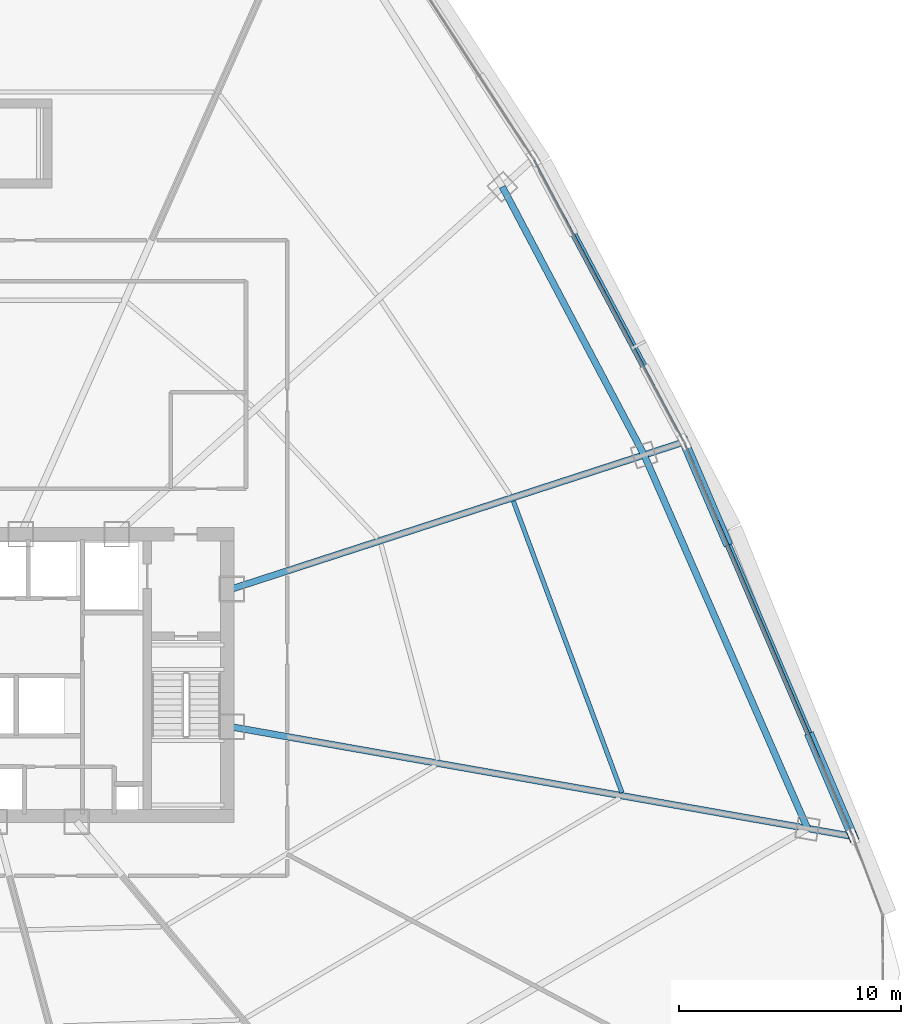
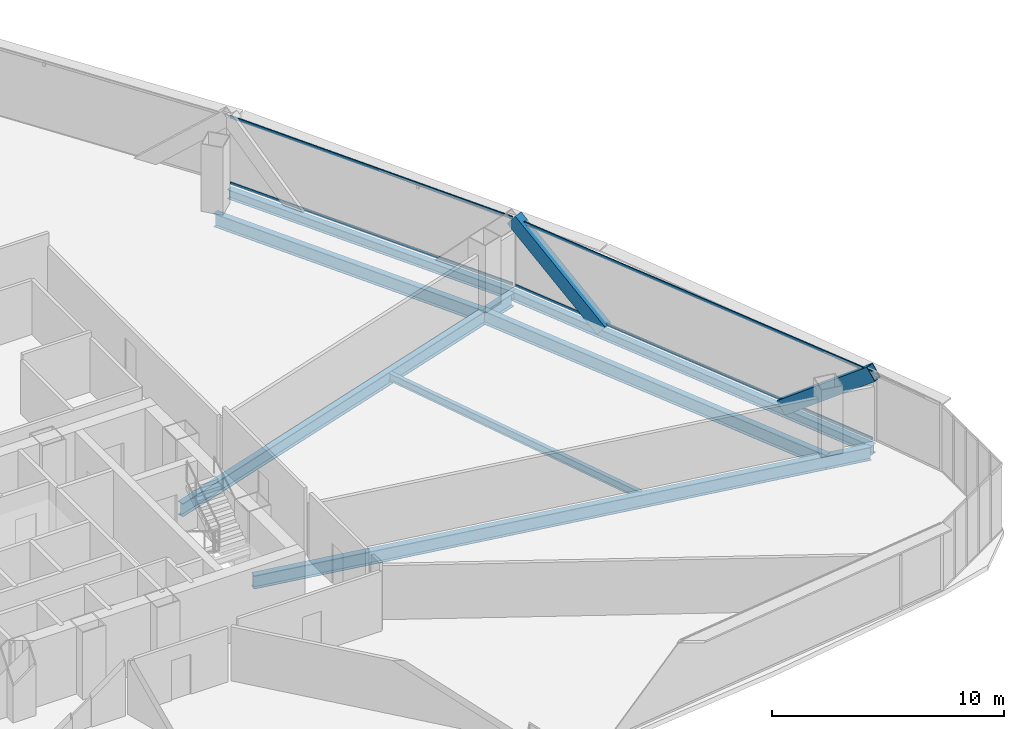
# One storey, part 23 of 39: 7 beams, 6 members, 2 elements without a shape of their own.
"""IFC4 building model written with IfcOpenShell, lengths in metres."""

import ifcopenshell
import ifcopenshell.guid

model = None  # the IFC model being written
_history = None  # IfcOwnerHistory: only IFC2X3 demands one
_inside = {}  # id of a spatial element -> (the spatial element, [elements in it])
_under = {}  # id of a project, library or spatial element -> (it, [spatial elements below it])
_declared = {}  # id of a project -> (the project, [libraries it declares])
_typed = {}  # id of a type object -> (the type object, [elements of that type])
_made_of = {}  # id of a material, layer set ... -> (it, [elements and type objects made of it])


def new_model(schema):
    """Start an empty IFC model of exactly this schema.

    Asked for "IFC4X3", IfcOpenShell would pick the latest addendum, in which some entities
    have other attributes; the version numbers below select the first issue.
    IFC2X3 requires an IfcOwnerHistory on every rooted entity: one is made here for all.
    """
    global model, _history
    if schema == "IFC4X3":
        model = ifcopenshell.file(schema_version=(4, 3, 0, 0))
    else:
        model = ifcopenshell.file(schema=schema)
    _inside.clear()
    _under.clear()
    _declared.clear()
    _typed.clear()
    _made_of.clear()
    _history = None
    if model.schema == "IFC2X3":
        org = make("IfcOrganization", Name="unknown")
        user = make(
            "IfcPersonAndOrganization",
            ThePerson=make("IfcPerson", FamilyName="unknown"),
            TheOrganization=org,
        )
        app = make(
            "IfcApplication",
            ApplicationDeveloper=org,
            Version="unknown",
            ApplicationFullName="unknown",
            ApplicationIdentifier="unknown",
        )
        _history = make(
            "IfcOwnerHistory",
            OwningUser=user,
            OwningApplication=app,
            ChangeAction="ADDED",
            CreationDate=0,
        )
    return model


def make(cls, **values):
    """One entity of the class cls with the attributes given. An attribute that is None is left unset."""
    return model.create_entity(
        cls, **{name: value for name, value in values.items() if value is not None}
    )


def rooted(cls, **values):
    """An entity with a GlobalId (a new one), such as an element, a storey or a relation."""
    return make(cls, GlobalId=ifcopenshell.guid.new(), OwnerHistory=_history, **values)


def si_unit(unit_type, name, prefix=None):
    """IfcSIUnit, for example si_unit("LENGTHUNIT", "METRE", prefix="MILLI")."""
    return make("IfcSIUnit", UnitType=unit_type, Prefix=prefix, Name=name)


def assignment(units):
    """IfcUnitAssignment: the units of a project."""
    return None if units is None else make("IfcUnitAssignment", Units=units)


def point(xyz):
    """IfcCartesianPoint."""
    return None if xyz is None else make("IfcCartesianPoint", Coordinates=xyz)


def direction(xyz):
    """IfcDirection."""
    return None if xyz is None else make("IfcDirection", DirectionRatios=xyz)


def frame(location, z_axis=None, x_axis=None):
    """IfcAxis2Placement3D, a coordinate frame: its origin and axes. An axis left out is left unset."""
    return make(
        "IfcAxis2Placement3D",
        Location=point(location),
        Axis=direction(z_axis),
        RefDirection=direction(x_axis),
    )


def frame_2d(location, x_axis=None):
    """IfcAxis2Placement2D, a coordinate frame in the plane: its origin and x axis."""
    return make(
        "IfcAxis2Placement2D", Location=point(location), RefDirection=direction(x_axis)
    )


def origin():
    """The frame at (0, 0, 0) with its axes left unset."""
    return frame((0.0, 0.0, 0.0))


def origin_2d():
    """The frame at (0, 0) in the plane with its x axis left unset."""
    return frame_2d((0.0, 0.0))


def place(relative_to, where):
    """IfcLocalPlacement: puts the frame where relative to a parent placement (None: the world)."""
    return make(
        "IfcLocalPlacement", PlacementRelTo=relative_to, RelativePlacement=where
    )


def context(
    kind, dimensions, precision=None, world=None, true_north=None, identifier=None
):
    """IfcGeometricRepresentationContext, for example the 3D "Model" context."""
    return make(
        "IfcGeometricRepresentationContext",
        ContextIdentifier=identifier,
        ContextType=kind,
        CoordinateSpaceDimension=dimensions,
        Precision=precision,
        WorldCoordinateSystem=world,
        TrueNorth=true_north,
    )


def subcontext(parent, identifier, kind, view, scale=None):
    """IfcGeometricRepresentationSubContext, for example "Body" below "Model"."""
    return make(
        "IfcGeometricRepresentationSubContext",
        ContextIdentifier=identifier,
        ContextType=kind,
        ParentContext=parent,
        TargetScale=scale,
        TargetView=view,
    )


def project(units=None, contexts=None):
    """IfcProject with its units and contexts."""
    return rooted(
        "IfcProject",
        Name="project",
        RepresentationContexts=contexts,
        UnitsInContext=assignment(units),
    )


def spatial(cls, under=None, at=None, **own):
    """A site, building, storey or space (cls), placed at a placement, below another one or the project."""
    s = rooted(cls, ObjectPlacement=at, **own)
    if under is not None:
        _under.setdefault(under.id(), (under, []))[1].append(s)
    return s


def profile(cls, at=None, kind="AREA", **sizes):
    """A parametric profile (cls). Its sizes go by their IFC names, for example OverallWidth=200.0."""
    return make(cls, ProfileType=kind, Position=at, **sizes)


def hollow_rectangle(**sizes):
    """IfcRectangleHollowProfileDef."""
    return profile("IfcRectangleHollowProfileDef", **sizes)


def i_section(**sizes):
    """IfcIShapeProfileDef."""
    return profile("IfcIShapeProfileDef", **sizes)


def extrude(swept, where, along, depth):
    """IfcExtrudedAreaSolid: the profile swept, set in the frame where, extruded along a direction by depth."""
    return make(
        "IfcExtrudedAreaSolid",
        SweptArea=swept,
        Position=where,
        ExtrudedDirection=direction(along),
        Depth=depth,
    )


def shape(context_of_items, identifier, shape_type, items):
    """IfcShapeRepresentation: the items that make up one representation, for example the "Body"."""
    return make(
        "IfcShapeRepresentation",
        ContextOfItems=context_of_items,
        RepresentationIdentifier=identifier,
        RepresentationType=shape_type,
        Items=items,
    )


def source(mapping_origin, context_of_items, identifier, shape_type, items):
    """IfcRepresentationMap: a shape defined once, which mapped items show again and again."""
    return make(
        "IfcRepresentationMap",
        MappingOrigin=mapping_origin,
        MappedRepresentation=shape(context_of_items, identifier, shape_type, items),
    )


def transform(
    local_origin,
    x_axis=None,
    y_axis=None,
    z_axis=None,
    scale=None,
    scale2=None,
    scale3=None,
    uniform=True,
):
    """IfcCartesianTransformationOperator3D, or its non-uniform kind. x_axis, y_axis, z_axis: its Axis1, 2, 3."""
    if uniform:
        return make(
            "IfcCartesianTransformationOperator3D",
            Axis1=direction(x_axis),
            Axis2=direction(y_axis),
            LocalOrigin=point(local_origin),
            Scale=scale,
            Axis3=direction(z_axis),
        )
    return make(
        "IfcCartesianTransformationOperator3DnonUniform",
        Axis1=direction(x_axis),
        Axis2=direction(y_axis),
        LocalOrigin=point(local_origin),
        Scale=scale,
        Axis3=direction(z_axis),
        Scale2=scale2,
        Scale3=scale3,
    )


def mapped(mapping_source, mapping_target):
    """IfcMappedItem: shows the shape of a source again, moved by a transform."""
    return make(
        "IfcMappedItem", MappingSource=mapping_source, MappingTarget=mapping_target
    )


def material(Name=None, Category=None):
    """IfcMaterial."""
    return make("IfcMaterial", Name=Name, Category=Category)


def layer(
    of_material, thickness, ventilated=None, Name=None, Category=None, Priority=None
):
    """IfcMaterialLayer: one layer of a wall or slab, of a material (None: an air gap)."""
    return make(
        "IfcMaterialLayer",
        Material=of_material,
        LayerThickness=thickness,
        IsVentilated=ventilated,
        Name=Name,
        Category=Category,
        Priority=Priority,
    )


def layer_set(layers, Name=None):
    """IfcMaterialLayerSet."""
    return make("IfcMaterialLayerSet", MaterialLayers=layers, LayerSetName=Name)


def material_profile(
    of_material, cross_section, Name=None, Category=None, Priority=None
):
    """IfcMaterialProfile: a cross section and its material."""
    return make(
        "IfcMaterialProfile",
        Name=Name,
        Material=of_material,
        Profile=cross_section,
        Priority=Priority,
        Category=Category,
    )


def profile_set(profiles, Name=None, composite=None):
    """IfcMaterialProfileSet."""
    return make(
        "IfcMaterialProfileSet",
        Name=Name,
        MaterialProfiles=profiles,
        CompositeProfile=composite,
    )


def made_of(thing, what):
    """Note that an element or type object is made of a material, layer set ...; save() writes the relation."""
    if what is not None:
        _made_of.setdefault(what.id(), (what, []))[1].append(thing)
    return thing


def type_object(cls, material=None, **own):
    """A type object (cls), such as IfcWallType, which elements share."""
    return made_of(rooted(cls, **own), material)


def element(
    cls,
    number,
    at=None,
    inside=None,
    cuts=None,
    type_object=None,
    material=None,
    context=None,
    identifier="Body",
    shape_type=None,
    held_by="IfcProductDefinitionShape",
    body=None,
    shapes=None,
    **own,
):
    """One element of the class cls, such as IfcWall. Its Tag is "e" and its number.

    at: its placement. inside: the storey or other place that contains it. cuts: it is an
    opening in that element (IfcRelVoidsElement). A single representation is given by context,
    identifier, shape_type and body (its items); several are given by shapes. held_by: the class
    of the entity that holds the representations. save() writes the other relations.
    """
    e = rooted(cls, Tag="e%d" % number, ObjectPlacement=at, **own)
    if body is not None:
        shapes = [shape(context, identifier, shape_type, body)]
    if shapes is not None:
        e.Representation = make(held_by, Representations=shapes)
    if inside is not None:
        _inside.setdefault(inside.id(), (inside, []))[1].append(e)
    if cuts is not None:
        rooted(
            "IfcRelVoidsElement", RelatingBuildingElement=cuts, RelatedOpeningElement=e
        )
    if type_object is not None:
        _typed.setdefault(type_object.id(), (type_object, []))[1].append(e)
    return made_of(e, material)


def aggregate(whole, parts):
    """IfcRelAggregates: a whole, such as a stair, and the parts it consists of."""
    return rooted("IfcRelAggregates", RelatingObject=whole, RelatedObjects=parts)


def save(model, path):
    """Write the relations noted so far, then the file.

    IfcRelAggregates (storeys below a building ...), IfcRelContainedInSpatialStructure (elements
    in a storey), IfcRelDefinesByType, IfcRelAssociatesMaterial and IfcRelDeclares: one each for
    every whole, place, type object, material and project.
    """
    for whole, parts in _under.values():
        aggregate(whole, parts)
    for where, things in _inside.values():
        rooted(
            "IfcRelContainedInSpatialStructure",
            RelatedElements=things,
            RelatingStructure=where,
        )
    for kind, things in _typed.values():
        rooted("IfcRelDefinesByType", RelatedObjects=things, RelatingType=kind)
    for what, things in _made_of.values():
        rooted("IfcRelAssociatesMaterial", RelatedObjects=things, RelatingMaterial=what)
    for by, libraries in _declared.values():
        rooted("IfcRelDeclares", RelatingContext=by, RelatedDefinitions=libraries)
    model.write(path)


model = new_model("IFC4")

# Units and contexts
model_context = context("Model", 3, precision=1e-05, world=origin(), true_north=direction((0.0, 1.0)))
body_context = subcontext(model_context, "Body", "Model", "MODEL_VIEW")
ifc_project = project(units=[si_unit("LENGTHUNIT", "METRE"), si_unit("AREAUNIT", "SQUARE_METRE"), si_unit("VOLUMEUNIT", "CUBIC_METRE"), si_unit("PLANEANGLEUNIT", "RADIAN"), si_unit("MASSUNIT", "GRAM", prefix="KILO"), si_unit("THERMODYNAMICTEMPERATUREUNIT", "KELVIN"), si_unit("POWERUNIT", "WATT")], contexts=[model_context])

# Site, building, storey
site_placement = place(None, origin())
site = spatial("IfcSite", under=ifc_project, at=site_placement, CompositionType="ELEMENT")
building_placement = place(site_placement, origin())
building = spatial("IfcBuilding", under=site, at=building_placement, Name="Yunzhuo Pagoda Commons", CompositionType="ELEMENT")
storey_placement = place(building_placement, frame((0.0, 0.0, 92.580078125)))
storey = spatial("IfcBuildingStorey", under=building, at=storey_placement, Name="L23", CompositionType="ELEMENT", Elevation=92.580078125)

# Beams
ifc_material_1 = material(Name="Structural steel Q355B", Category="steel")
ifc_material_profile_1 = material_profile(ifc_material_1, i_section(OverallWidth=0.300048828125, OverallDepth=0.699951171875, WebThickness=0.012939453125, FlangeThickness=0.02392578125, at=origin_2d()), Name="Structural steel Q355B")
ifc_profile_set_1 = profile_set([ifc_material_profile_1], Name="Structural steel Q355B")
beam_type_1 = type_object("IfcBeamType", Name="B-RG1 Beam HN 700x300x13x24", PredefinedType="BEAM", material=ifc_profile_set_1)
shared_shape_1 = source(origin(), body_context, "Body", "SweptSolid", [
    extrude(i_section(OverallWidth=0.300048828125, OverallDepth=0.699951171875, WebThickness=0.012939453125, FlangeThickness=0.02392578125, at=origin_2d()), origin(), (0.0, 0.0, 1.0), 18.37158203125),
])
beam_1_placement = place(storey_placement, frame((86.352783203125, 26.9375, -0.610107421875), z_axis=(-0.400729599795, 0.916196369698, 0.0), x_axis=(-0.916196369698, -0.400729599795, 0.0)))
element("IfcBeam", 1, at=beam_1_placement, inside=storey, type_object=beam_type_1, Name="L23 column-ring beam 5", PredefinedType="BEAM", context=body_context, shape_type="MappedRepresentation", body=[
    mapped(shared_shape_1, transform((0.0, 0.0, 0.0), scale=1.0)),
])
shared_shape_2 = source(origin(), body_context, "Body", "SweptSolid", [
    extrude(i_section(OverallWidth=0.300048828125, OverallDepth=0.699951171875, WebThickness=0.012939453125, FlangeThickness=0.02392578125, at=origin_2d()), origin(), (0.0, 0.0, 1.0), 13.66748046875),
])
beam_2_placement = place(storey_placement, frame((78.99072265625, 43.76953125, -0.610107421875), z_axis=(-0.467383716456, 0.88405455804, 0.0), x_axis=(-0.88405455804, -0.467383716456, 0.0)))
element("IfcBeam", 2, at=beam_2_placement, inside=storey, type_object=beam_type_1, Name="L23 column-ring beam 6", PredefinedType="BEAM", context=body_context, shape_type="MappedRepresentation", body=[
    mapped(shared_shape_2, transform((0.0, 0.0, 0.0), scale=1.0)),
])
ifc_material_profile_2 = material_profile(ifc_material_1, i_section(OverallWidth=0.199951171875, OverallDepth=0.39990234375, WebThickness=0.008056640625, FlangeThickness=0.012939453125, at=origin_2d()), Name="Structural steel Q355B")
ifc_profile_set_2 = profile_set([ifc_material_profile_2], Name="Structural steel Q355B")
beam_type_2 = type_object("IfcBeamType", Name="B-JS1 Joist HN 400x200x8x13", PredefinedType="JOIST", material=ifc_profile_set_2)
shared_shape_3 = source(origin(), body_context, "Body", "SweptSolid", [
    extrude(i_section(OverallWidth=0.199951171875, OverallDepth=0.39990234375, WebThickness=0.008056640625, FlangeThickness=0.012939453125, at=origin_2d()), origin(), (0.0, 0.0, 1.0), 14.01904296875),
])
beam_3_placement = place(storey_placement, frame((77.992431640625, 28.55078125, -0.4599609375), z_axis=(-0.349168392993, 0.937059994523, 0.0), x_axis=(-0.937059994523, -0.349168392993, 0.0)))
element("IfcBeam", 3, at=beam_3_placement, inside=storey, type_object=beam_type_2, Name="L23 composite ring joist 2.5", PredefinedType="JOIST", context=body_context, shape_type="MappedRepresentation", body=[
    mapped(shared_shape_3, transform((0.0, 0.0, 0.0), scale=1.0)),
])
shared_shape_4 = source(origin(), body_context, "Body", "SweptSolid", [
    extrude(i_section(OverallWidth=0.300048828125, OverallDepth=0.699951171875, WebThickness=0.012939453125, FlangeThickness=0.02392578125, at=origin_2d()), origin(), (0.0, 0.0, 1.0), 28.281005859375),
])
beam_4_placement = place(storey_placement, frame((88.251220703125, 26.6025390625, -0.610107421875), z_axis=(-0.984808056581, 0.173646456036, 0.0), x_axis=(-0.173646456036, -0.984808056581, 0.0)))
element("IfcBeam", 4, at=beam_4_placement, inside=storey, type_object=beam_type_1, Name="L23 radial floor girder F2C1", PredefinedType="BEAM", context=body_context, shape_type="MappedRepresentation", body=[
    mapped(shared_shape_4, transform((0.0, 0.0, 0.0), scale=1.0)),
])
shared_shape_5 = source(origin(), body_context, "Body", "SweptSolid", [
    extrude(i_section(OverallWidth=0.300048828125, OverallDepth=0.699951171875, WebThickness=0.012939453125, FlangeThickness=0.02392578125, at=origin_2d()), origin(), (0.0, 0.0, 1.0), 21.291015625),
])
beam_5_placement = place(storey_placement, frame((80.64892578125, 44.308349609375, -0.610107421875), z_axis=(-0.951055975763, -0.309018657956, 0.0), x_axis=(0.309018657956, -0.951055975763, 0.0)))
element("IfcBeam", 5, at=beam_5_placement, inside=storey, type_object=beam_type_1, Name="L23 radial floor girder F2C2", PredefinedType="BEAM", context=body_context, shape_type="MappedRepresentation", body=[
    mapped(shared_shape_5, transform((0.0, 0.0, 0.0), scale=1.0)),
])
ifc_material_profile_3 = material_profile(ifc_material_1, i_section(OverallWidth=0.300048828125, OverallDepth=0.488037109375, WebThickness=0.010986328125, FlangeThickness=0.01806640625, at=origin_2d()), Name="Structural steel Q355B")
ifc_profile_set_3 = profile_set([ifc_material_profile_3], Name="Structural steel Q355B")
beam_type_3 = type_object("IfcBeamType", Name="B-SP1 Beam HM 488x300x11x18", PredefinedType="BEAM", material=ifc_profile_set_3)
shared_shape_6 = source(origin(), body_context, "Body", "SweptSolid", [
    extrude(i_section(OverallWidth=0.300048828125, OverallDepth=0.488037109375, WebThickness=0.010986328125, FlangeThickness=0.01806640625, at=origin_2d()), origin(), (0.0, 0.0, 1.0), 19.339599609375),
])
beam_6_placement = place(storey_placement, frame((88.40380859375, 26.57568359375, -0.504150390625), z_axis=(-0.393360074903, 0.919384495993, 0.0), x_axis=(-0.919384495993, -0.393360074903, 0.0)))
element("IfcBeam", 6, at=beam_6_placement, inside=storey, type_object=beam_type_3, Name="L23 facade edge spandrel beam F2.1", PredefinedType="BEAM", context=body_context, shape_type="MappedRepresentation", body=[
    mapped(shared_shape_6, transform((0.0, 0.0, 0.0), scale=1.0)),
])
shared_shape_7 = source(origin(), body_context, "Body", "SweptSolid", [
    extrude(i_section(OverallWidth=0.300048828125, OverallDepth=0.488037109375, WebThickness=0.010986328125, FlangeThickness=0.01806640625, at=origin_2d()), origin(), (0.0, 0.0, 1.0), 14.45556640625),
])
beam_7_placement = place(storey_placement, frame((80.79638671875, 44.356201171875, -0.504150390625), z_axis=(-0.469414934682, 0.882977700227, 0.0), x_axis=(-0.882977700227, -0.469414934682, 0.0)))
element("IfcBeam", 7, at=beam_7_placement, inside=storey, type_object=beam_type_3, Name="L23 facade edge spandrel beam F2.2", PredefinedType="BEAM", context=body_context, shape_type="MappedRepresentation", body=[
    mapped(shared_shape_7, transform((0.0, 0.0, 0.0), scale=1.0)),
])

# Members
ifc_material_2 = material(Name="Structural steel Q420B", Category="steel")
ifc_material_profile_4 = material_profile(ifc_material_2, hollow_rectangle(XDim=0.419921875, YDim=0.719970703125, WallThickness=0.028076171875, at=origin_2d()), Name="Structural steel Q420B")
ifc_profile_set_4 = profile_set([ifc_material_profile_4], Name="Structural steel Q420B")
member_type_1 = type_object("IfcMemberType", Name="M-DL1 Brace BOX 720x420x28", PredefinedType="BRACE", material=ifc_profile_set_4)
shared_shape_8 = source(origin(), body_context, "Body", "SweptSolid", [
    extrude(hollow_rectangle(XDim=0.419921875, YDim=0.719970703125, WallThickness=0.028076171875, at=origin_2d()), origin(), (0.0, 0.0, 1.0), 6.1494140625),
])
for number, where, z_axis, x_axis, name in (
    (8, (86.501953125, 31.020751953125, -0.260009765625), (0.309271130449, -0.722836902707, 0.617946745243), (0.919382542639, 0.393364640367, 0.0), "L23 facade diamond brace F2.1L"),
    (9, (82.6982421875, 39.9111328125, -0.260009765625), (-0.309271130449, 0.722836902707, 0.617946745243), (-0.919382542639, -0.393364640367, 0.0), "L23 facade diamond brace F2.1R"),
):
    element("IfcMember", number, at=place(storey_placement, frame(where, z_axis=z_axis, x_axis=x_axis)), inside=storey, type_object=member_type_1, Name=name, PredefinedType="BRACE", context=body_context, shape_type="MappedRepresentation", body=[
        mapped(shared_shape_8, transform((0.0, 0.0, 0.0), scale=1.0)),
    ])

# Curtain wall, members
ifc_material_3 = material(Name="Anodized aluminium 6063-T6", Category="aluminium")
ifc_layer = layer(ifc_material_3, 0.1650390625)
ifc_layer_set = layer_set([ifc_layer], Name="Anodized aluminium 6063-T6")
curtain_wall_type = type_object("IfcCurtainWallType", Name="CW-LOW Low-Zone Ribbon Curtain Wall", PredefinedType="NOTDEFINED", material=ifc_layer_set)
curtain_wall_1_placement = place(storey_placement, origin())
curtain_wall_1 = element("IfcCurtainWall", 10, at=curtain_wall_1_placement, inside=storey, type_object=curtain_wall_type, Name="L23 curtain wall CW-L23-F2B2", PredefinedType="NOTDEFINED")
ifc_material_profile_5 = material_profile(ifc_material_3, hollow_rectangle(XDim=0.06005859375, YDim=0.139892578125, WallThickness=0.00341796875, at=origin_2d()), Name="Anodized aluminium 6063-T6")
ifc_profile_set_5 = profile_set([ifc_material_profile_5], Name="Anodized aluminium 6063-T6")
member_type_2 = type_object("IfcMemberType", Name="CW-LOW-T Transom RHS 140x60x3.5", PredefinedType="USERDEFINED", material=ifc_profile_set_5)
shared_shape_9 = source(origin(), body_context, "Body", "SweptSolid", [
    extrude(hollow_rectangle(XDim=0.06005859375, YDim=0.139892578125, WallThickness=0.00341796875, at=origin_2d()), origin(), (0.0, 0.0, 1.0), 19.20947265625),
])
member_1_placement = place(storey_placement, frame((88.37841796875, 26.635498046875, 0.030029296875), z_axis=(-0.393356285421, 0.91938611732, 0.0), x_axis=(-0.91938611732, -0.393356285421, 0.0)))
member_1 = element("IfcMember", 11, at=member_1_placement, type_object=member_type_2, Name="CW transom 1.1", ObjectType="TRANSOM", PredefinedType="USERDEFINED", context=body_context, shape_type="MappedRepresentation", body=[
    mapped(shared_shape_9, transform((0.0, 0.0, 0.0), scale=1.0)),
])
member_2_placement = place(storey_placement, frame((88.37841796875, 26.635498046875, 3.510009765625), z_axis=(-0.393356285421, 0.91938611732, 0.0), x_axis=(-0.91938611732, -0.393356285421, 0.0)))
member_2 = element("IfcMember", 12, at=member_2_placement, type_object=member_type_2, Name="CW transom 1.2", ObjectType="TRANSOM", PredefinedType="USERDEFINED", context=body_context, shape_type="MappedRepresentation", body=[
    mapped(shared_shape_9, transform((0.0, 0.0, 0.0), scale=1.0)),
])
aggregate(curtain_wall_1, [member_1, member_2])

curtain_wall_2_placement = place(storey_placement, origin())
curtain_wall_2 = element("IfcCurtainWall", 13, at=curtain_wall_2_placement, inside=storey, type_object=curtain_wall_type, Name="L23 curtain wall CW-L23-F2B3", PredefinedType="NOTDEFINED")
shared_shape_10 = source(origin(), body_context, "Body", "SweptSolid", [
    extrude(hollow_rectangle(XDim=0.06005859375, YDim=0.139892578125, WallThickness=0.00341796875, at=origin_2d()), origin(), (0.0, 0.0, 1.0), 14.32568359375),
])
member_3_placement = place(storey_placement, frame((80.765869140625, 44.41357421875, 0.030029296875), z_axis=(-0.469413137866, 0.88297865546, 0.0), x_axis=(-0.88297865546, -0.469413137866, 0.0)))
member_3 = element("IfcMember", 14, at=member_3_placement, type_object=member_type_2, Name="CW transom 1.1", ObjectType="TRANSOM", PredefinedType="USERDEFINED", context=body_context, shape_type="MappedRepresentation", body=[
    mapped(shared_shape_10, transform((0.0, 0.0, 0.0), scale=1.0)),
])
member_4_placement = place(storey_placement, frame((80.765869140625, 44.41357421875, 3.510009765625), z_axis=(-0.469413137866, 0.88297865546, 0.0), x_axis=(-0.88297865546, -0.469413137866, 0.0)))
member_4 = element("IfcMember", 15, at=member_4_placement, type_object=member_type_2, Name="CW transom 1.2", ObjectType="TRANSOM", PredefinedType="USERDEFINED", context=body_context, shape_type="MappedRepresentation", body=[
    mapped(shared_shape_10, transform((0.0, 0.0, 0.0), scale=1.0)),
])
aggregate(curtain_wall_2, [member_3, member_4])

save(model, "model.ifc")
